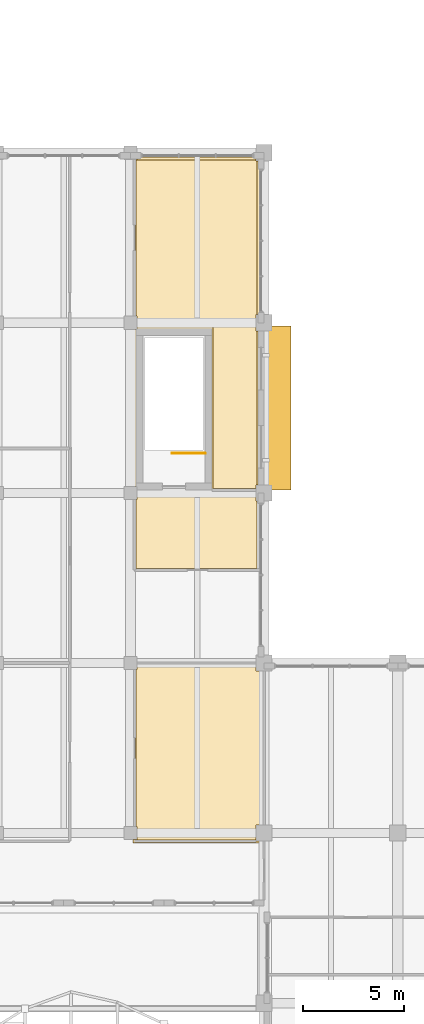
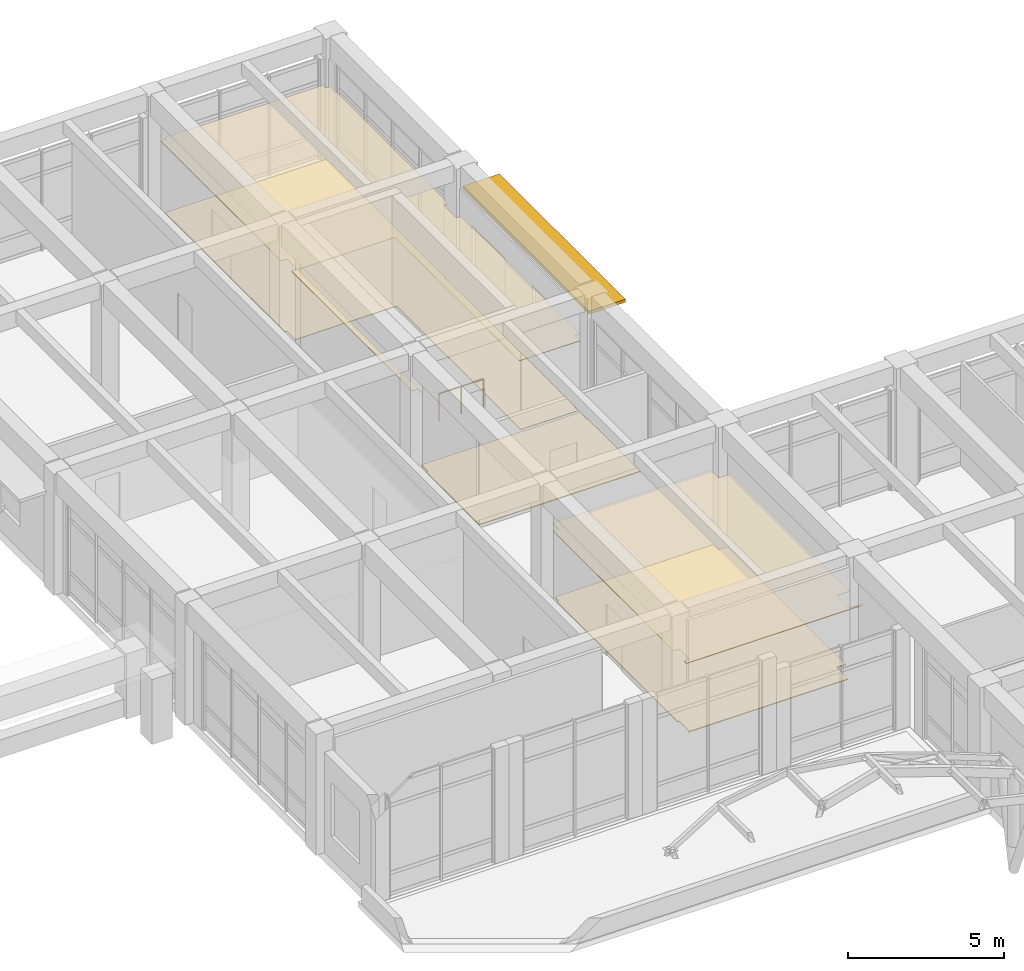
# One storey, part 78 of 79: 5 coverings, 1 railing, 1 shading device.
"""IFC4 building model written with IfcOpenShell, lengths in metres."""

from ifc_helpers import new_model, si_unit, direction, frame, origin, origin_2d, place, context, subcontext, project, spatial, polyline, rectangle, circle, outline, extrude, material, layer, layer_set, type_object, element, save


model = new_model("IFC4")

# Units and contexts
model_context = context("Model", 3, precision=1e-05, world=origin(), true_north=direction((0.0, 1.0)))
body_context = subcontext(model_context, "Body", "Model", "MODEL_VIEW")
ifc_project = project(units=[si_unit("LENGTHUNIT", "METRE"), si_unit("AREAUNIT", "SQUARE_METRE"), si_unit("VOLUMEUNIT", "CUBIC_METRE"), si_unit("PLANEANGLEUNIT", "RADIAN"), si_unit("MASSUNIT", "GRAM", prefix="KILO")], contexts=[model_context])

# Site, building, storey
site_placement = place(None, origin())
site = spatial("IfcSite", under=ifc_project, at=site_placement, CompositionType="ELEMENT")
building_placement = place(site_placement, origin())
building = spatial("IfcBuilding", under=site, at=building_placement, Name="Kolvaren Faculty of Natural Sciences", CompositionType="ELEMENT")
storey_placement = place(building_placement, frame((0.0, 0.0, 10.199951171875)))
storey = spatial("IfcBuildingStorey", under=building, at=storey_placement, Name="L02", CompositionType="ELEMENT", Elevation=10.199951171875)

# Coverings
ifc_material_1 = material(Name="Perforated mineral-fibre acoustic suspended ceiling tile")
ifc_layer_1 = layer(ifc_material_1, 0.02490234375)
ifc_layer_set_1 = layer_set([ifc_layer_1], Name="Perforated mineral-fibre acoustic suspended ceiling tile")
covering_type_1 = type_object("IfcCoveringType", Name="AcousticSuspendedCeiling_25", PredefinedType="CEILING", material=ifc_layer_set_1)
covering_1_placement = place(storey_placement, frame((0.0, 0.0, 2.824951171875)))
element("IfcCovering", 1, at=covering_1_placement, inside=storey, type_object=covering_type_1, Name="L02 Library Curatorial Office Suite acoustic ceiling", PredefinedType="CEILING", context=body_context, shape_type="SweptSolid", body=[
    extrude(outline(polyline([(138.39990234375, 84.280029296875), (138.39990234375, 83.800048828125), (138.8798828125, 83.800048828125), (138.8798828125, 76.199951171875), (138.39990234375, 76.199951171875), (138.39990234375, 75.39990234375), (138.8798828125, 75.39990234375), (138.8798828125, 75.320068359375), (132.320068359375, 75.320068359375), (132.320068359375, 75.47509765625), (132.52490234375, 75.47509765625), (132.52490234375, 76.125), (132.320068359375, 76.125), (132.320068359375, 83.875), (132.52490234375, 83.875), (132.52490234375, 84.280029296875), (138.39990234375, 84.280029296875)])), origin(), (0.0, 0.0, 1.0), 0.025146484375),
])
covering_2_placement = place(storey_placement, frame((0.0, 0.0, 2.824951171875)))
element("IfcCovering", 2, at=covering_2_placement, inside=storey, type_object=covering_type_1, Name="L02 L02 Interdisciplinary Research Laboratory 42 acoustic ceiling", PredefinedType="CEILING", context=body_context, shape_type="SweptSolid", body=[
    extrude(outline(polyline([(136.14501953125, 92.669921875), (136.14501953125, 100.64501953125), (132.554931640625, 100.64501953125), (132.554931640625, 92.669921875), (132.52490234375, 92.669921875), (132.52490234375, 92.925048828125), (132.320068359375, 92.925048828125), (132.320068359375, 100.675048828125), (132.52490234375, 100.675048828125), (132.52490234375, 101.324951171875), (132.320068359375, 101.324951171875), (132.320068359375, 109.074951171875), (132.52490234375, 109.074951171875), (132.52490234375, 109.179931640625), (138.39990234375, 109.179931640625), (138.39990234375, 109.0), (138.580078125, 109.0), (138.580078125, 101.39990234375), (138.39990234375, 101.39990234375), (138.39990234375, 100.60009765625), (138.580078125, 100.60009765625), (138.580078125, 93.0), (138.39990234375, 93.0), (138.39990234375, 92.669921875), (136.14501953125, 92.669921875)])), origin(), (0.0, 0.0, 1.0), 0.025146484375),
])

# Shading device
ifc_material_2 = material(Name="Precast concrete C35/45", Category="concrete")
ifc_layer_2 = layer(ifc_material_2, 0.1201171875)
ifc_layer_set_2 = layer_set([ifc_layer_2], Name="Precast concrete C35/45")
shading_device_type = type_object("IfcShadingDeviceType", Name="ChhajjaSolarHood_1350", PredefinedType="AWNING", material=ifc_layer_set_2)
shading_device_placement = place(storey_placement, frame((139.455078125, 96.800048828125, 3.695068359375), z_axis=(0.0, 0.0, 1.0), x_axis=(0.0, -1.0, 0.0)))
element("IfcShadingDevice", 3, at=shading_device_placement, inside=storey, type_object=shading_device_type, Name="L02 precast sandstone chhajja solar hood 100", PredefinedType="AWNING", context=body_context, shape_type="SweptSolid", body=[
    extrude(rectangle(XDim=8.10009765625, YDim=1.35009765625, at=origin_2d()), origin(), (0.0, 0.0, 1.0), 0.1201171875),
])

# Covering
ifc_material_3 = material(Name="Seamless chemical-resistant laboratory epoxy resin flooring")
ifc_layer_3 = layer(ifc_material_3, 0.02001953125)
ifc_layer_set_3 = layer_set([ifc_layer_3], Name="Seamless chemical-resistant laboratory epoxy resin flooring")
covering_type_2 = type_object("IfcCoveringType", Name="LabEpoxyFloorFinish_20", PredefinedType="FLOORING", material=ifc_layer_set_3)
covering_3_placement = place(storey_placement, origin())
element("IfcCovering", 4, at=covering_3_placement, inside=storey, type_object=covering_type_2, Name="L02 L02 Interdisciplinary Research Laboratory 42 floor finish", PredefinedType="FLOORING", context=body_context, shape_type="SweptSolid", body=[
    extrude(outline(polyline([(132.4599609375, 109.0400390625), (138.39990234375, 109.0400390625), (138.39990234375, 109.0), (138.43994140625, 109.0), (138.43994140625, 101.39990234375), (138.39990234375, 101.39990234375), (138.39990234375, 100.60009765625), (138.43994140625, 100.60009765625), (138.43994140625, 93.0), (138.39990234375, 93.0), (138.39990234375, 92.81005859375), (136.284912109375, 92.81005859375), (136.284912109375, 100.72509765625), (136.28466796875, 100.73095703125), (136.28369140625, 100.73681640625), (136.282470703125, 100.742431640625), (136.280517578125, 100.748046875), (136.27783203125, 100.75341796875), (136.27490234375, 100.75830078125), (136.271484375, 100.76318359375), (136.267333984375, 100.767333984375), (136.26318359375, 100.771484375), (136.25830078125, 100.77490234375), (136.25341796875, 100.77783203125), (136.248046875, 100.780517578125), (136.242431640625, 100.782470703125), (136.23681640625, 100.78369140625), (136.23095703125, 100.78466796875), (136.22509765625, 100.784912109375), (132.52490234375, 100.784912109375), (132.52490234375, 101.324951171875), (132.4599609375, 101.324951171875), (132.4599609375, 109.0400390625)])), origin(), (0.0, 0.0, 1.0), 0.02001953125),
])

# Railing
ifc_material_4 = material(Name="Structural steel EN 10210-1 S355J2H", Category="steel")
ifc_layer_4 = layer(ifc_material_4, 0.048095703125)
ifc_layer_set_4 = layer_set([ifc_layer_4], Name="Structural steel EN 10210-1 S355J2H")
railing_type = type_object("IfcRailingType", Name="StairWellGuard_1100", PredefinedType="BALUSTRADE", material=ifc_layer_set_4)
railing_placement = place(storey_placement, frame((135.89990234375, 94.550048828125, 0.0)))
element("IfcRailing", 5, at=railing_placement, inside=storey, type_object=railing_type, Name="L02 ST-7 top well guard 1", PredefinedType="BALUSTRADE", context=body_context, shape_type="SweptSolid", body=[
    extrude(circle(Radius=0.02392578125, at=origin_2d()), frame((0.0, 0.0, 1.076171875), z_axis=(-1.0, 0.0, 0.0), x_axis=(0.0, -1.0, 0.0)), (0.0, 0.0, 1.0), 1.64990234375),
    extrude(circle(Radius=0.02099609375, at=origin_2d()), origin(), (0.0, 0.0, 1.0), 1.052001953125),
    extrude(circle(Radius=0.02099609375, at=origin_2d()), frame((-0.824951171875, 0.0, 0.0)), (0.0, 0.0, 1.0), 1.052001953125),
    extrude(circle(Radius=0.02099609375, at=origin_2d()), frame((-1.64990234375, 0.0, 0.0)), (0.0, 0.0, 1.0), 1.052001953125),
])

# Coverings
ifc_material_5 = material(Name="Polished Uruguayan grey granite terrazzo flooring", Category="masonry")
ifc_layer_5 = layer(ifc_material_5, 0.030029296875)
ifc_layer_set_5 = layer_set([ifc_layer_5], Name="Polished Uruguayan grey granite terrazzo flooring")
covering_type_3 = type_object("IfcCoveringType", Name="TerrazzoFloorFinish_30", PredefinedType="FLOORING", material=ifc_layer_set_5)
covering_4_placement = place(storey_placement, origin())
element("IfcCovering", 6, at=covering_4_placement, inside=storey, type_object=covering_type_3, Name="L02 L02 Protected Stair Lobby ST-7 floor finish", PredefinedType="FLOORING", context=body_context, shape_type="SweptSolid", body=[
    extrude(outline(polyline([(138.39990234375, 92.68994140625), (138.39990234375, 92.199951171875), (138.43994140625, 92.199951171875), (138.43994140625, 88.860107421875), (132.4599609375, 88.860107421875), (132.4599609375, 92.27490234375), (132.52490234375, 92.27490234375), (132.52490234375, 92.68994140625), (138.39990234375, 92.68994140625)])), origin(), (0.0, 0.0, 1.0), 0.030029296875),
])
covering_5_placement = place(storey_placement, origin())
element("IfcCovering", 7, at=covering_5_placement, inside=storey, type_object=covering_type_3, Name="L02 Library Curatorial Office Suite floor finish", PredefinedType="FLOORING", context=body_context, shape_type="SweptSolid", body=[
    extrude(outline(polyline([(132.4599609375, 75.47509765625), (132.52490234375, 75.47509765625), (132.52490234375, 76.125), (132.4599609375, 76.125), (132.4599609375, 83.875), (132.52490234375, 83.875), (132.52490234375, 84.139892578125), (138.39990234375, 84.139892578125), (138.39990234375, 83.800048828125), (138.739990234375, 83.800048828125), (138.739990234375, 76.199951171875), (138.39990234375, 76.199951171875), (138.39990234375, 75.4599609375), (132.4599609375, 75.4599609375), (132.4599609375, 75.47509765625)])), origin(), (0.0, 0.0, 1.0), 0.030029296875),
])

save(model, "model.ifc")
